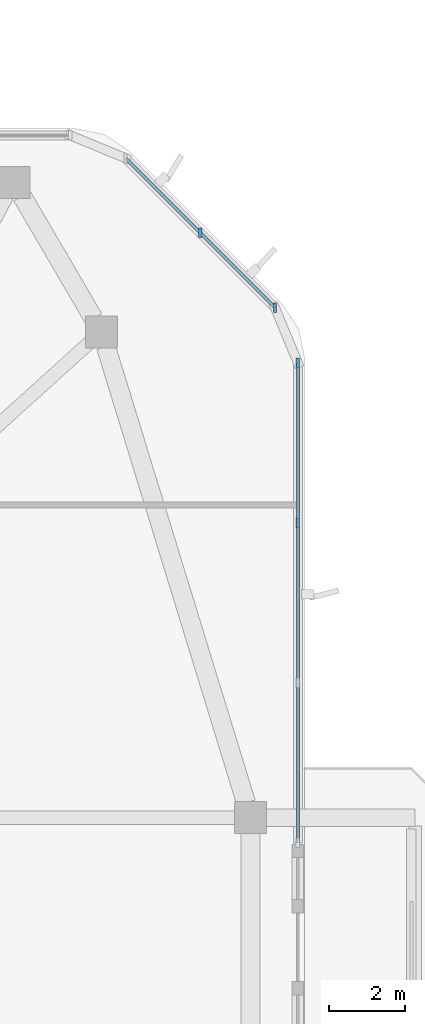
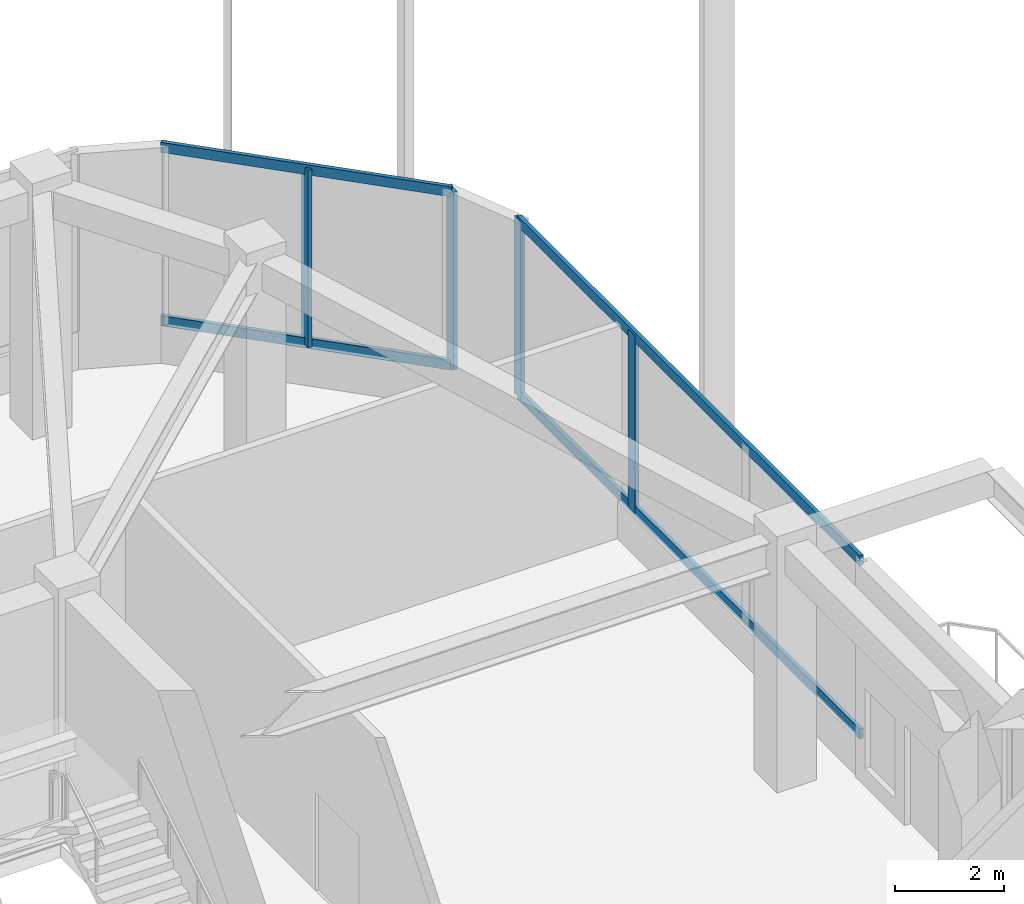
# One storey, part 5 of 14: 8 members, 2 elements without a shape of their own.
"""IFC4 building model written with IfcOpenShell, lengths in metres."""

from ifc_helpers import new_model, si_unit, derived_unit, direction, frame, origin, origin_2d, place, context, subcontext, project, spatial, rectangle, extrude, material, material_profile, profile_set, type_object, element, aggregate, save


model = new_model("IFC4")

# Units and contexts
model_context = context("Model", 3, precision=1e-05, world=origin(), true_north=direction((0.0, 1.0)))
body_context = subcontext(model_context, "Body", "Model", "MODEL_VIEW")
ifc_project = project(units=[si_unit("LENGTHUNIT", "METRE"), si_unit("AREAUNIT", "SQUARE_METRE"), si_unit("VOLUMEUNIT", "CUBIC_METRE"), si_unit("PLANEANGLEUNIT", "RADIAN"), si_unit("MASSUNIT", "GRAM", prefix="KILO"), derived_unit("THERMALTRANSMITTANCEUNIT", [(si_unit("POWERUNIT", "WATT"), 1), (si_unit("LENGTHUNIT", "METRE"), -2), (si_unit("THERMODYNAMICTEMPERATUREUNIT", "KELVIN"), -1)])], contexts=[model_context])

# Site, building, storey
site_placement = place(None, origin())
site = spatial("IfcSite", under=ifc_project, at=site_placement, CompositionType="ELEMENT")
building_placement = place(site_placement, origin())
building = spatial("IfcBuilding", under=site, at=building_placement, Name="Koralith Skygarden Medical Center", CompositionType="ELEMENT")
storey_placement = place(building_placement, frame((0.0, 0.0, 237.06005859375)))
storey = spatial("IfcBuildingStorey", under=building, at=storey_placement, Name="L61", CompositionType="ELEMENT", Elevation=237.06005859375)

# Curtain wall, members
ifc_material_1 = material(Name="Clear Laminated Glass", Category="glass")
curtain_wall_type = type_object("IfcCurtainWallType", Name="CW-7 Sky-Garden & Pool Conservatory Wall", PredefinedType="NOTDEFINED", material=ifc_material_1)
curtain_wall_1_placement = place(storey_placement, origin())
curtain_wall_1 = element("IfcCurtainWall", 1, at=curtain_wall_1_placement, inside=storey, type_object=curtain_wall_type, Name="Curtain Wall CW-L61-E-R", PredefinedType="NOTDEFINED")
ifc_material_2 = material(Name="Aluminium 6063-T6", Category="aluminium")
ifc_material_profile_1 = material_profile(ifc_material_2, rectangle(XDim=0.0859375, YDim=0.25, at=origin_2d()), Name="MUL86X250")
ifc_profile_set_1 = profile_set([ifc_material_profile_1], Name="Aluminium 6063-T6")
member_type_1 = type_object("IfcMemberType", Name="CW-7 Extruded Mullion 86x250", PredefinedType="MULLION", material=ifc_profile_set_1)
member_1_placement = place(storey_placement, frame((61.719970703125, 37.04296875, 0.849853515625), z_axis=(0.0, 0.0, 1.0), x_axis=(1.0, 0.0, 0.0)))
member_1 = element("IfcMember", 2, at=member_1_placement, type_object=member_type_1, Name="CW-L61-E-R Mullion 3", PredefinedType="MULLION", context=body_context, shape_type="SweptSolid", body=[
    extrude(rectangle(XDim=0.0859375, YDim=0.25, at=origin_2d()), origin(), (0.0, 0.0, 1.0), 4.0),
])
member_2_placement = place(storey_placement, frame((61.719970703125, 41.2451171875, 0.849853515625), z_axis=(0.0, 0.0, 1.0), x_axis=(1.0, 0.0, 0.0)))
member_2 = element("IfcMember", 3, at=member_2_placement, type_object=member_type_1, Name="CW-L61-E-R Mullion 4", PredefinedType="MULLION", context=body_context, shape_type="SweptSolid", body=[
    extrude(rectangle(XDim=0.0859375, YDim=0.25, at=origin_2d()), origin(), (0.0, 0.0, 1.0), 4.0),
])

curtain_wall_2_placement = place(storey_placement, origin())
curtain_wall_2 = element("IfcCurtainWall", 4, at=curtain_wall_2_placement, inside=storey, type_object=curtain_wall_type, Name="Curtain Wall CW-L61-NE", PredefinedType="NOTDEFINED")
member_3_placement = place(storey_placement, frame((61.118896484375, 42.696044921875, 0.849853515625), z_axis=(0.0, 0.0, 1.0), x_axis=(1.0, 0.0, 0.0)))
member_3 = element("IfcMember", 5, at=member_3_placement, type_object=member_type_1, Name="CW-L61-NE Mullion 1", PredefinedType="MULLION", context=body_context, shape_type="SweptSolid", body=[
    extrude(rectangle(XDim=0.0859375, YDim=0.25, at=origin_2d()), origin(), (0.0, 0.0, 1.0), 4.0),
])
member_4_placement = place(storey_placement, frame((59.156982421875, 44.656982421875, 0.849853515625), z_axis=(0.0, 0.0, 1.0), x_axis=(1.0, 0.0, 0.0)))
member_4 = element("IfcMember", 6, at=member_4_placement, type_object=member_type_1, Name="CW-L61-NE Mullion 2", PredefinedType="MULLION", context=body_context, shape_type="SweptSolid", body=[
    extrude(rectangle(XDim=0.0859375, YDim=0.25, at=origin_2d()), origin(), (0.0, 0.0, 1.0), 4.0),
])

# Member
ifc_material_profile_2 = material_profile(ifc_material_2, rectangle(XDim=0.0810546875, YDim=0.22509765625, at=origin_2d()), Name="TRN81X225")
ifc_profile_set_2 = profile_set([ifc_material_profile_2], Name="Aluminium 6063-T6")
member_type_2 = type_object("IfcMemberType", Name="CW-7 Thermal Transom 81x225", PredefinedType="USERDEFINED", material=ifc_profile_set_2)
member_5_placement = place(storey_placement, frame((61.719970703125, 28.639892578125, 0.89990234375), z_axis=(0.0, 1.0, 0.0), x_axis=(-1.0, 0.0, 0.0)))
member_5 = element("IfcMember", 7, at=member_5_placement, type_object=member_type_2, Name="CW-L61-E-R Transom 1", ObjectType="TRANSOM", PredefinedType="USERDEFINED", context=body_context, shape_type="SweptSolid", body=[
    extrude(rectangle(XDim=0.0810546875, YDim=0.22509765625, at=origin_2d()), origin(), (0.0, 0.0, 1.0), 12.605224609375),
])

member_6_placement = place(storey_placement, frame((61.719970703125, 28.639892578125, 4.800048828125), z_axis=(0.0, 1.0, 0.0), x_axis=(-1.0, 0.0, 0.0)))
member_6 = element("IfcMember", 8, at=member_6_placement, type_object=member_type_2, Name="CW-L61-E-R Transom 2", ObjectType="TRANSOM", PredefinedType="USERDEFINED", context=body_context, shape_type="SweptSolid", body=[
    extrude(rectangle(XDim=0.0810546875, YDim=0.22509765625, at=origin_2d()), origin(), (0.0, 0.0, 1.0), 12.605224609375),
])

aggregate(curtain_wall_1, [member_1, member_2, member_5, member_6])

member_7_placement = place(storey_placement, frame((61.118896484375, 42.696044921875, 0.89990234375), z_axis=(-0.707106781187, 0.707106781187, 0.0), x_axis=(-0.707106781187, -0.707106781187, 0.0)))
member_7 = element("IfcMember", 9, at=member_7_placement, type_object=member_type_2, Name="CW-L61-NE Transom 1", ObjectType="TRANSOM", PredefinedType="USERDEFINED", context=body_context, shape_type="SweptSolid", body=[
    extrude(rectangle(XDim=0.0810546875, YDim=0.22509765625, at=origin_2d()), origin(), (0.0, 0.0, 1.0), 5.5478515625),
])

member_8_placement = place(storey_placement, frame((61.118896484375, 42.696044921875, 4.800048828125), z_axis=(-0.707106781187, 0.707106781187, 0.0), x_axis=(-0.707106781187, -0.707106781187, 0.0)))
member_8 = element("IfcMember", 10, at=member_8_placement, type_object=member_type_2, Name="CW-L61-NE Transom 2", ObjectType="TRANSOM", PredefinedType="USERDEFINED", context=body_context, shape_type="SweptSolid", body=[
    extrude(rectangle(XDim=0.0810546875, YDim=0.22509765625, at=origin_2d()), origin(), (0.0, 0.0, 1.0), 5.5478515625),
])

aggregate(curtain_wall_2, [member_3, member_4, member_7, member_8])

save(model, "model.ifc")
